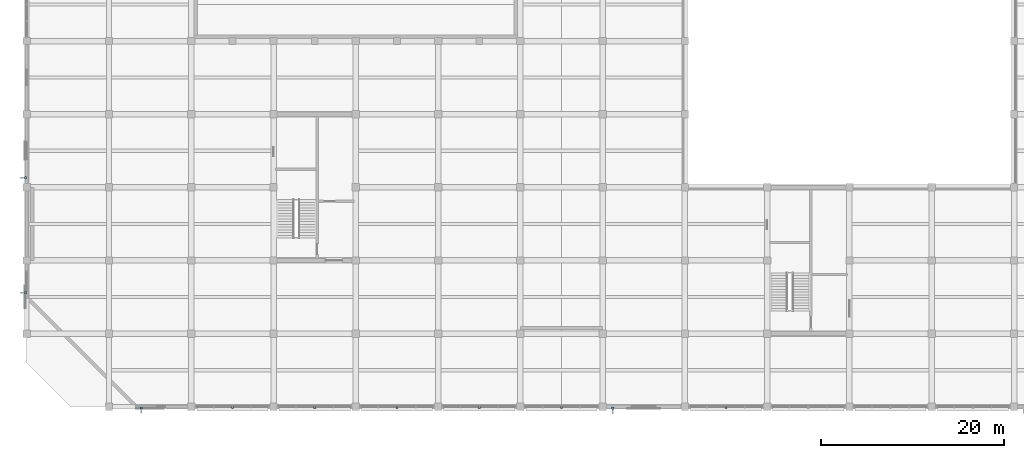
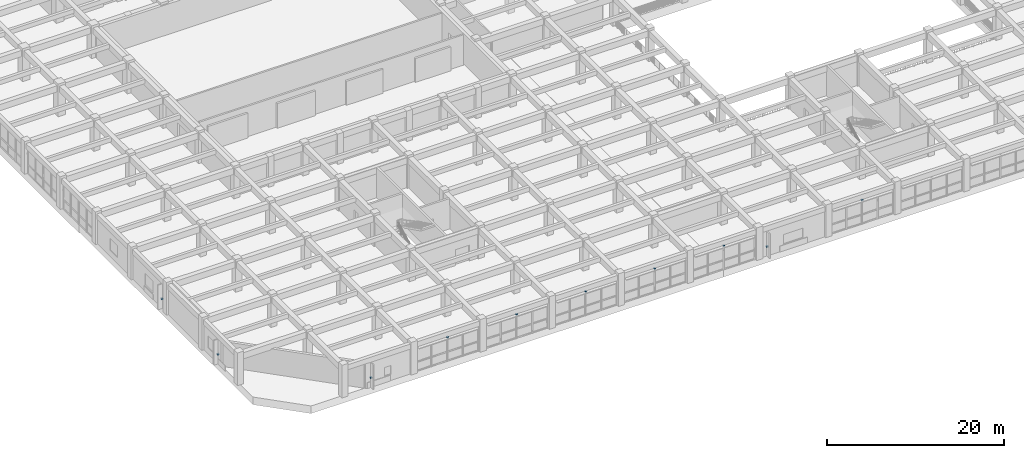
# One storey, part 36 of 50: 10 discrete accessories.
"""IFC4 building model written with IfcOpenShell, lengths in metres."""

from ifc_helpers import new_model, si_unit, direction, frame, origin, origin_2d, place, context, subcontext, project, spatial, rectangle, extrude, material, layer, layer_set, type_object, element, save


model = new_model("IFC4")

# Units and contexts
model_context = context("Model", 3, precision=1e-05, world=origin(), true_north=direction((0.0, 1.0)))
body_context = subcontext(model_context, "Body", "Model", "MODEL_VIEW")
ifc_project = project(units=[si_unit("LENGTHUNIT", "METRE"), si_unit("AREAUNIT", "SQUARE_METRE"), si_unit("VOLUMEUNIT", "CUBIC_METRE"), si_unit("PLANEANGLEUNIT", "RADIAN"), si_unit("MASSUNIT", "GRAM", prefix="KILO")], contexts=[model_context])

# Site, building, storey
site_placement = place(None, origin())
site = spatial("IfcSite", under=ifc_project, at=site_placement, CompositionType="ELEMENT")
building_placement = place(site_placement, origin())
building = spatial("IfcBuilding", under=site, at=building_placement, Name="Zaverband Oceanarium and Marine Research Institute", CompositionType="ELEMENT")
storey_placement = place(building_placement, frame((0.0, 0.0, 4.5)))
storey = spatial("IfcBuildingStorey", under=building, at=storey_placement, Name="L01", CompositionType="ELEMENT", Elevation=4.5)

# Discrete accessories
ifc_material = material(Name="Steel S355", Category="steel")
ifc_layer = layer(ifc_material, 0.179931640625, Name="Steel S355")
ifc_layer_set = layer_set([ifc_layer], Name="Steel S355")
discrete_accessory_type = type_object("IfcDiscreteAccessoryType", Name="BRK-STL-200", PredefinedType="BRACKET", material=ifc_layer_set)
for number, where, z_axis, x_axis, name in (
    (1, (12.52001953125, -0.14501953125, 1.22021484375), (0.0, 0.0, 1.0), (1.0, 0.0, 0.0), "Galvanized steel facade fin structural bracket BRK-STL-200"),
    (2, (22.5, -0.080078125, 3.22998046875), (0.0, 0.0, 1.0), (1.0, 0.0, 0.0), "Galvanized steel facade fin structural bracket BRK-STL-200"),
    (3, (31.5, -0.080078125, 3.22998046875), (0.0, 0.0, 1.0), (1.0, 0.0, 0.0), "Galvanized steel facade fin structural bracket BRK-STL-200"),
    (4, (40.5, -0.080078125, 3.22998046875), (0.0, 0.0, 1.0), (1.0, 0.0, 0.0), "Galvanized steel facade fin structural bracket BRK-STL-200"),
    (5, (49.5, -0.080078125, 3.22998046875), (0.0, 0.0, 1.0), (1.0, 0.0, 0.0), "Galvanized steel facade fin structural bracket BRK-STL-200"),
    (6, (58.5, -0.080078125, 3.22998046875), (0.0, 0.0, 1.0), (1.0, 0.0, 0.0), "Galvanized steel facade fin structural bracket BRK-STL-200"),
    (7, (64.10498046875, -0.169921875, 1.22021484375), (0.0, 0.0, 1.0), (1.0, 0.0, 0.0), "Galvanized steel facade fin structural bracket BRK-STL-200"),
    (8, (76.5, -0.080078125, 3.22998046875), (0.0, 0.0, 1.0), (1.0, 0.0, 0.0), "Galvanized steel facade fin structural bracket BRK-STL-200"),
    (9, (-0.132568359375, 12.469970703125, 1.22021484375), (0.0, 0.0, 1.0), (1.0, 0.0, 0.0), "Galvanized steel facade fin structural bracket BRK-STL-200"),
    (10, (-0.14501953125, 25.054931640625, 1.22021484375), (0.0, 0.0, 1.0), (1.0, 0.0, 0.0), "Galvanized steel facade fin structural bracket BRK-STL-200"),
):
    element("IfcDiscreteAccessory", number, at=place(storey_placement, frame(where, z_axis=z_axis, x_axis=x_axis)), inside=storey, type_object=discrete_accessory_type, Name=name, PredefinedType="BRACKET", context=body_context, shape_type="SweptSolid", body=[
        extrude(rectangle(XDim=0.239990234375, YDim=0.239990234375, at=origin_2d()), origin(), (0.0, 0.0, 1.0), 0.179931640625),
    ])

save(model, "model.ifc")
